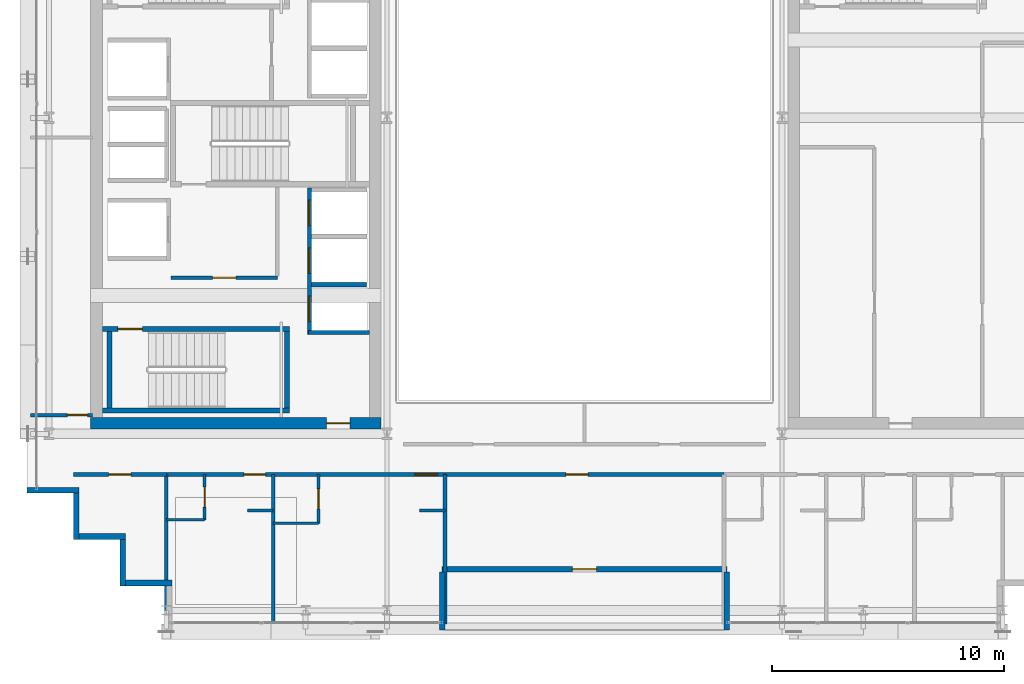
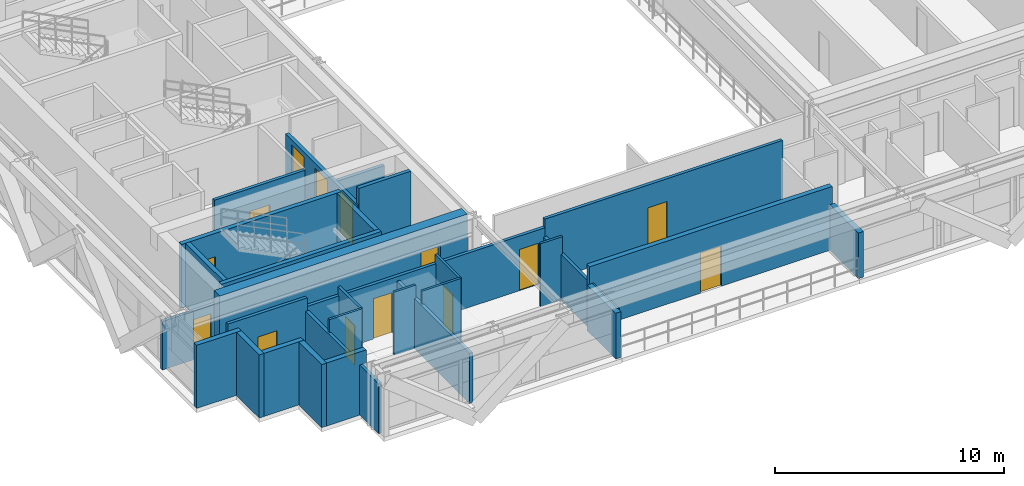
# One storey, part 24 of 32: 30 walls, 14 doors, 14 openings.
"""IFC4 building model written with IfcOpenShell, lengths in metres."""

from ifc_helpers import new_model, si_unit, direction, frame, frame_2d, origin, place, context, subcontext, project, spatial, rectangle, extrude, source, transform, mapped, material, layer, layer_set, type_object, element, fill, save


model = new_model("IFC4")

# Units and contexts
model_context = context("Model", 3, precision=1e-05, world=origin(), true_north=direction((0.0, 1.0)))
body_context = subcontext(model_context, "Body", "Model", "MODEL_VIEW")
ifc_project = project(units=[si_unit("LENGTHUNIT", "METRE"), si_unit("AREAUNIT", "SQUARE_METRE"), si_unit("VOLUMEUNIT", "CUBIC_METRE"), si_unit("PLANEANGLEUNIT", "RADIAN"), si_unit("MASSUNIT", "GRAM", prefix="KILO")], contexts=[model_context])

# Site, building, storey
site_placement = place(None, origin())
site = spatial("IfcSite", under=ifc_project, at=site_placement, CompositionType="ELEMENT")
building_placement = place(site_placement, origin())
building = spatial("IfcBuilding", under=site, at=building_placement, Name="Ocotamira Hotel", CompositionType="ELEMENT")
storey_placement = place(building_placement, frame((0.0, 0.0, 206.39990234375)))
storey = spatial("IfcBuildingStorey", under=building, at=storey_placement, Name="L52", CompositionType="ELEMENT", Elevation=206.39990234375)

# Wall, opening, door
ifc_material_1 = material(Name="Concrete C50/60", Category="concrete")
ifc_layer_1 = layer(ifc_material_1, 0.5)
ifc_layer_set_1 = layer_set([ifc_layer_1], Name="Concrete C50/60")
wall_type_1 = type_object("IfcWallType", Name="WL-CORE-500", PredefinedType="SHEAR", material=ifc_layer_set_1)
wall_1_placement = place(storey_placement, frame((10.75, 15.0, 0.0), z_axis=(0.0, 0.0, 1.0), x_axis=(1.0, 0.0, 0.0)))
wall_1 = element("IfcWall", 1, at=wall_1_placement, inside=storey, type_object=wall_type_1, Name="L52 Shear Core Wall WCORE-S", PredefinedType="SHEAR", context=body_context, shape_type="SweptSolid", body=[
    extrude(rectangle(XDim=12.5, YDim=0.5, at=frame_2d((6.25, 0.0))), origin(), (0.0, 0.0, 1.0), 3.3701171875),
])
opening_1_placement = place(wall_1_placement, frame((10.14990234375, 0.0, 0.0)))
opening_1 = element("IfcOpeningElement", 2, at=opening_1_placement, cuts=wall_1, Name="Opening D-FR2", PredefinedType="OPENING", context=body_context, shape_type="SweptSolid", body=[
    extrude(rectangle(XDim=1.0, YDim=2.14990234375, at=frame_2d((0.5, 1.074951171875))), frame((0.0, 0.260009765625, 0.0), z_axis=(0.0, -1.0, 0.0), x_axis=(1.0, 0.0, 0.0)), (0.0, 0.0, 1.0), 0.52001953125),
])
ifc_material_2 = material(Name="Fire-rated acoustic timber-veneer door", Category="wood")
door_type_1 = type_object("IfcDoorType", Name="DR-FIRE-1000", OperationType="NOTDEFINED", PredefinedType="DOOR", material=ifc_material_2)
shared_shape_1 = source(origin(), body_context, "Body", "SweptSolid", [
    extrude(rectangle(XDim=1.0, YDim=2.14990234375, at=frame_2d((0.5, 1.074951171875))), frame((0.0, 0.02490234375, 0.0), z_axis=(0.0, -1.0, 0.0), x_axis=(1.0, 0.0, 0.0)), (0.0, 0.0, 1.0), 0.050048828125),
])
door_1_placement = place(opening_1_placement, origin())
door_1 = element("IfcDoor", 3, at=door_1_placement, inside=storey, type_object=door_type_1, Name="L52 Door ID-L52-WLOB-S-D [ID-L52-WLOB-S-D]", OperationType="SINGLE_SWING_LEFT", OverallHeight=2.14990234375, OverallWidth=1.0, PredefinedType="DOOR", context=body_context, shape_type="MappedRepresentation", body=[
    mapped(shared_shape_1, transform((0.0, 0.0, 0.0), scale=1.0)),
])
fill(opening_1, door_1)

# Walls
ifc_material_3 = material(Name="Precast concrete C45/55", Category="concrete")
ifc_layer_2 = layer(ifc_material_3, 0.25)
ifc_layer_set_2 = layer_set([ifc_layer_2], Name="Precast concrete C45/55")
wall_type_2 = type_object("IfcWallType", Name="WL-EXT-SER-250", PredefinedType="SOLIDWALL", material=ifc_layer_set_2)
wall_2_placement = place(storey_placement, frame((8.0, 12.125, 0.0), z_axis=(0.0, 0.0, 1.0), x_axis=(1.0, 0.0, 0.0)))
element("IfcWall", 4, at=wall_2_placement, inside=storey, type_object=wall_type_2, Name="L52 Serrated Corner Wall 19", PredefinedType="SOLIDWALL", context=body_context, shape_type="SweptSolid", body=[
    extrude(rectangle(XDim=2.25, YDim=0.25, at=frame_2d((1.125, 0.0))), origin(), (0.0, 0.0, 1.0), 3.3701171875),
])
for number, where, z_axis, x_axis, name in (
    (5, (10.125, 12.0, 0.0), (0.0, 0.0, 1.0), (0.0, -1.0, 0.0), "L52 Serrated Corner Wall 20"),
    (6, (10.25, 10.125, 0.0), (0.0, 0.0, 1.0), (1.0, 0.0, 0.0), "L52 Serrated Corner Wall 21"),
    (7, (12.125, 10.0, 0.0), (0.0, 0.0, 1.0), (0.0, -1.0, 0.0), "L52 Serrated Corner Wall 22"),
    (8, (12.25, 8.125, 0.0), (0.0, 0.0, 1.0), (1.0, 0.0, 0.0), "L52 Serrated Corner Wall 23"),
):
    element("IfcWall", number, at=place(storey_placement, frame(where, z_axis=z_axis, x_axis=x_axis)), inside=storey, type_object=wall_type_2, Name=name, PredefinedType="SOLIDWALL", context=body_context, shape_type="SweptSolid", body=[
        extrude(rectangle(XDim=2.0, YDim=0.25, at=frame_2d((1.0, 0.0))), origin(), (0.0, 0.0, 1.0), 3.3701171875),
    ])

# Wall, opening, door
wall_3_placement = place(storey_placement, frame((25.875, 8.72509765625, 0.0), z_axis=(0.0, 0.0, 1.0), x_axis=(1.0, 0.0, 0.0)))
wall_3 = element("IfcWall", 9, at=wall_3_placement, inside=storey, type_object=wall_type_2, Name="L52 Sky Terrace Back Wall 1", PredefinedType="SOLIDWALL", context=body_context, shape_type="SweptSolid", body=[
    extrude(rectangle(XDim=12.25, YDim=0.25, at=frame_2d((6.125, 0.0))), origin(), (0.0, 0.0, 1.0), 3.3701171875),
])
opening_2_placement = place(wall_3_placement, frame((5.60009765625, 0.0, 0.0)))
opening_2 = element("IfcOpeningElement", 10, at=opening_2_placement, cuts=wall_3, Name="Opening ED-3", PredefinedType="OPENING", context=body_context, shape_type="SweptSolid", body=[
    extrude(rectangle(XDim=1.050048828125, YDim=2.14990234375, at=frame_2d((0.52490234375, 1.074951171875))), frame((0.0, 0.135009765625, 0.0), z_axis=(0.0, -1.0, 0.0), x_axis=(1.0, 0.0, 0.0)), (0.0, 0.0, 1.0), 0.27001953125),
])
ifc_material_4 = material(Name="Thermally broken aluminium glazed door", Category="aluminium")
door_type_2 = type_object("IfcDoorType", Name="DR-TERR-1050", OperationType="NOTDEFINED", PredefinedType="DOOR", material=ifc_material_4)
shared_shape_2 = source(origin(), body_context, "Body", "SweptSolid", [
    extrude(rectangle(XDim=1.050048828125, YDim=2.14990234375, at=frame_2d((0.52490234375, 1.074951171875))), frame((0.0, 0.02490234375, 0.0), z_axis=(0.0, -1.0, 0.0), x_axis=(1.0, 0.0, 0.0)), (0.0, 0.0, 1.0), 0.050048828125),
])
door_2_placement = place(opening_2_placement, origin())
door_2 = element("IfcDoor", 11, at=door_2_placement, inside=storey, type_object=door_type_2, Name="L52 Sky Terrace Access Door 1 [ED-BAL-L52-1]", OperationType="SINGLE_SWING_RIGHT", OverallHeight=2.14990234375, OverallWidth=1.050048828125, PredefinedType="DOOR", context=body_context, shape_type="MappedRepresentation", body=[
    mapped(shared_shape_2, transform((0.0, 0.0, 0.0), scale=1.0)),
])
fill(opening_2, door_2)

# Walls
for number, where, z_axis, x_axis, name in (
    (12, (25.875, 6.10009765625, 0.0), (0.0, 0.0, 1.0), (0.0, 1.0, 0.0), "L52 Sky Terrace Return Wall 1L"),
    (13, (38.125, 6.10009765625, 0.0), (0.0, 0.0, 1.0), (0.0, 1.0, 0.0), "L52 Sky Terrace Return Wall 1R"),
):
    element("IfcWall", number, at=place(storey_placement, frame(where, z_axis=z_axis, x_axis=x_axis)), inside=storey, type_object=wall_type_2, Name=name, PredefinedType="SOLIDWALL", context=body_context, shape_type="SweptSolid", body=[
        extrude(rectangle(XDim=2.5, YDim=0.25, at=frame_2d((1.25, 0.0))), origin(), (0.0, 0.0, 1.0), 2.443115234375),
    ])

# Wall, opening, door
ifc_material_5 = material(Name="Acoustic double-layer fire gypsum board partition", Category="gypsum")
ifc_layer_3 = layer(ifc_material_5, 0.159912109375)
ifc_layer_set_3 = layer_set([ifc_layer_3], Name="Acoustic double-layer fire gypsum board partition")
wall_type_3 = type_object("IfcWallType", Name="WL-FIRE-160", PredefinedType="PARTITIONING", material=ifc_layer_set_3)
wall_4_placement = place(storey_placement, frame((14.199951171875, 21.27001953125, 0.0), z_axis=(0.0, 0.0, 1.0), x_axis=(1.0, 0.0, 0.0)))
wall_4 = element("IfcWall", 14, at=wall_4_placement, inside=storey, type_object=wall_type_3, Name="L52 Interior Wall PW-L52-FSAE1-S", PredefinedType="PARTITIONING", context=body_context, shape_type="SweptSolid", body=[
    extrude(rectangle(XDim=4.580078125, YDim=0.159912109375, at=frame_2d((2.2900390625, 0.0))), origin(), (0.0, 0.0, 1.0), 3.3701171875),
])
opening_3_placement = place(wall_4_placement, frame((1.800048828125, 0.0, 0.0)))
opening_3 = element("IfcOpeningElement", 15, at=opening_3_placement, cuts=wall_4, Name="Opening D-FR2", PredefinedType="OPENING", context=body_context, shape_type="SweptSolid", body=[
    extrude(rectangle(XDim=1.0, YDim=2.14990234375, at=frame_2d((0.5, 1.074951171875))), frame((0.0, 0.08984375, 0.0), z_axis=(0.0, -1.0, 0.0), x_axis=(1.0, 0.0, 0.0)), (0.0, 0.0, 1.0), 0.179931640625),
])
door_3_placement = place(opening_3_placement, origin())
door_3 = element("IfcDoor", 16, at=door_3_placement, inside=storey, type_object=door_type_1, Name="L52 Door ID-L52-FSAE1-D [ID-L52-FSAE1-D]", OperationType="SINGLE_SWING_LEFT", OverallHeight=2.14990234375, OverallWidth=1.0, PredefinedType="DOOR", context=body_context, shape_type="MappedRepresentation", body=[
    mapped(shared_shape_1, transform((0.0, 0.0, 0.0), scale=1.0)),
])
fill(opening_3, door_3)

wall_5_placement = place(storey_placement, frame((10.0, 12.800048828125, 0.0), z_axis=(0.0, 0.0, 1.0), x_axis=(1.0, 0.0, 0.0)))
wall_5 = element("IfcWall", 17, at=wall_5_placement, inside=storey, type_object=wall_type_3, Name="L52 Interior Wall PW-L52-Z3E-CSW-CW", PredefinedType="PARTITIONING", context=body_context, shape_type="SweptSolid", body=[
    extrude(rectangle(XDim=4.0, YDim=0.159912109375, at=frame_2d((2.0, 0.0))), origin(), (0.0, 0.0, 1.0), 3.3701171875),
])
opening_4_placement = place(wall_5_placement, frame((1.52001953125, 0.0, 0.0)))
opening_4 = element("IfcOpeningElement", 18, at=opening_4_placement, cuts=wall_5, Name="Opening D-SV4", PredefinedType="OPENING", context=body_context, shape_type="SweptSolid", body=[
    extrude(rectangle(XDim=0.9599609375, YDim=2.14990234375, at=frame_2d((0.47998046875, 1.074951171875))), frame((0.0, 0.08984375, 0.0), z_axis=(0.0, -1.0, 0.0), x_axis=(1.0, 0.0, 0.0)), (0.0, 0.0, 1.0), 0.179931640625),
])
ifc_material_6 = material(Name="Fire-rated accessible walnut salon door", Category="wood")
door_type_3 = type_object("IfcDoorType", Name="DR-SERV-960", OperationType="NOTDEFINED", PredefinedType="DOOR", material=ifc_material_6)
shared_shape_3 = source(origin(), body_context, "Body", "SweptSolid", [
    extrude(rectangle(XDim=0.9599609375, YDim=2.14990234375, at=frame_2d((0.47998046875, 1.074951171875))), frame((0.0, 0.02490234375, 0.0), z_axis=(0.0, -1.0, 0.0), x_axis=(1.0, 0.0, 0.0)), (0.0, 0.0, 1.0), 0.050048828125),
])
door_4_placement = place(opening_4_placement, origin())
door_4 = element("IfcDoor", 19, at=door_4_placement, inside=storey, type_object=door_type_3, Name="L52 Door ID-L52-Z3E-CSW-CD [ID-L52-Z3E-CSW-CD]", OperationType="SINGLE_SWING_LEFT", OverallHeight=2.14990234375, OverallWidth=0.9599609375, PredefinedType="DOOR", context=body_context, shape_type="MappedRepresentation", body=[
    mapped(shared_shape_3, transform((0.0, 0.0, 0.0), scale=1.0)),
])
fill(opening_4, door_4)

# Wall, openings, doors
wall_6_placement = place(storey_placement, frame((14.0, 12.800048828125, 0.0), z_axis=(0.0, 0.0, 1.0), x_axis=(1.0, 0.0, 0.0)))
wall_6 = element("IfcWall", 20, at=wall_6_placement, inside=storey, type_object=wall_type_3, Name="L52 Interior Wall PW-L52-Z3ESW-CORRW", PredefinedType="PARTITIONING", context=body_context, shape_type="SweptSolid", body=[
    extrude(rectangle(XDim=12.0, YDim=0.159912109375, at=frame_2d((6.0, 0.0))), origin(), (0.0, 0.0, 1.0), 2.9130859375),
])
opening_5_placement = place(wall_6_placement, frame((3.340087890625, 0.0, 0.0)))
opening_5 = element("IfcOpeningElement", 21, at=opening_5_placement, cuts=wall_6, Name="Opening D-GR1", PredefinedType="OPENING", context=body_context, shape_type="SweptSolid", body=[
    extrude(rectangle(XDim=0.93994140625, YDim=2.14990234375, at=frame_2d((0.469970703125, 1.074951171875))), frame((0.0, 0.08984375, 0.0), z_axis=(0.0, -1.0, 0.0), x_axis=(1.0, 0.0, 0.0)), (0.0, 0.0, 1.0), 0.179931640625),
])
opening_6_placement = place(wall_6_placement, frame((10.699951171875, 0.0, 0.0)))
opening_6 = element("IfcOpeningElement", 22, at=opening_6_placement, cuts=wall_6, Name="Opening D-GR2", PredefinedType="OPENING", context=body_context, shape_type="SweptSolid", body=[
    extrude(rectangle(XDim=0.97998046875, YDim=2.199951171875, at=frame_2d((0.489990234375, 1.10009765625))), frame((0.0, 0.08984375, 0.0), z_axis=(0.0, -1.0, 0.0), x_axis=(1.0, 0.0, 0.0)), (0.0, 0.0, 1.0), 0.179931640625),
])
ifc_material_7 = material(Name="Solid-core walnut suite entrance fire door", Category="wood")
door_type_4 = type_object("IfcDoorType", Name="DR-GUEST-940", OperationType="NOTDEFINED", PredefinedType="DOOR", material=ifc_material_7)
shared_shape_4 = source(origin(), body_context, "Body", "SweptSolid", [
    extrude(rectangle(XDim=0.93994140625, YDim=2.14990234375, at=frame_2d((0.469970703125, 1.074951171875))), frame((0.0, 0.02490234375, 0.0), z_axis=(0.0, -1.0, 0.0), x_axis=(1.0, 0.0, 0.0)), (0.0, 0.0, 1.0), 0.050048828125),
])
door_5_placement = place(opening_5_placement, origin())
door_5 = element("IfcDoor", 23, at=door_5_placement, inside=storey, type_object=door_type_4, Name="L52 Door ID-L52-Z3ESW-RMD1 [ID-L52-Z3ESW-RMD1]", OperationType="SINGLE_SWING_LEFT", OverallHeight=2.14990234375, OverallWidth=0.93994140625, PredefinedType="DOOR", context=body_context, shape_type="MappedRepresentation", body=[
    mapped(shared_shape_4, transform((0.0, 0.0, 0.0), scale=1.0)),
])
fill(opening_5, door_5)
ifc_material_8 = material(Name="Solid-core walnut grand-suite entrance fire door", Category="wood")
door_type_5 = type_object("IfcDoorType", Name="DR-GUEST-980", OperationType="NOTDEFINED", PredefinedType="DOOR", material=ifc_material_8)
shared_shape_5 = source(origin(), body_context, "Body", "SweptSolid", [
    extrude(rectangle(XDim=0.97998046875, YDim=2.199951171875, at=frame_2d((0.489990234375, 1.10009765625))), frame((0.0, 0.02490234375, 0.0), z_axis=(0.0, -1.0, 0.0), x_axis=(1.0, 0.0, 0.0)), (0.0, 0.0, 1.0), 0.050048828125),
])
door_6_placement = place(opening_6_placement, origin())
door_6 = element("IfcDoor", 24, at=door_6_placement, inside=storey, type_object=door_type_5, Name="L52 Door ID-L52-Z3ESW-RMD2 [ID-L52-Z3ESW-RMD2]", OperationType="SINGLE_SWING_RIGHT", OverallHeight=2.199951171875, OverallWidth=0.97998046875, PredefinedType="DOOR", context=body_context, shape_type="MappedRepresentation", body=[
    mapped(shared_shape_5, transform((0.0, 0.0, 0.0), scale=1.0)),
])
fill(opening_6, door_6)

# Wall, opening, door
wall_7_placement = place(storey_placement, frame((26.0, 12.800048828125, 0.0), z_axis=(0.0, 0.0, 1.0), x_axis=(1.0, 0.0, 0.0)))
wall_7 = element("IfcWall", 25, at=wall_7_placement, inside=storey, type_object=wall_type_3, Name="L52 Interior Wall PW-L52-Z3E-TSALN", PredefinedType="PARTITIONING", context=body_context, shape_type="SweptSolid", body=[
    extrude(rectangle(XDim=12.0, YDim=0.159912109375, at=frame_2d((6.0, 0.0))), origin(), (0.0, 0.0, 1.0), 3.3701171875),
])
opening_7_placement = place(wall_7_placement, frame((5.199951171875, 0.0, 0.0)))
opening_7 = element("IfcOpeningElement", 26, at=opening_7_placement, cuts=wall_7, Name="Opening D-SV4", PredefinedType="OPENING", context=body_context, shape_type="SweptSolid", body=[
    extrude(rectangle(XDim=0.9599609375, YDim=2.14990234375, at=frame_2d((0.47998046875, 1.074951171875))), frame((0.0, 0.08984375, 0.0), z_axis=(0.0, -1.0, 0.0), x_axis=(1.0, 0.0, 0.0)), (0.0, 0.0, 1.0), 0.179931640625),
])
door_7_placement = place(opening_7_placement, origin())
door_7 = element("IfcDoor", 27, at=door_7_placement, inside=storey, type_object=door_type_3, Name="L52 Door ID-L52-Z3E-TSALD [ID-L52-Z3E-TSALD]", OperationType="SINGLE_SWING_LEFT", OverallHeight=2.14990234375, OverallWidth=0.9599609375, PredefinedType="DOOR", context=body_context, shape_type="MappedRepresentation", body=[
    mapped(shared_shape_3, transform((0.0, 0.0, 0.0), scale=1.0)),
])
fill(opening_7, door_7)

ifc_material_9 = material(Name="Moisture-resistant en-suite tile and gypsum partition", Category="gypsum")
ifc_layer_4 = layer(ifc_material_9, 0.1201171875)
ifc_layer_set_4 = layer_set([ifc_layer_4], Name="Moisture-resistant en-suite tile and gypsum partition")
wall_type_4 = type_object("IfcWallType", Name="WL-PART-120", PredefinedType="PARTITIONING", material=ifc_layer_set_4)
wall_8_placement = place(storey_placement, frame((15.64990234375, 10.85009765625, 0.0), z_axis=(0.0, 0.0, 1.0), x_axis=(0.0, 1.0, 0.0)))
wall_8 = element("IfcWall", 28, at=wall_8_placement, inside=storey, type_object=wall_type_4, Name="L52 Interior Wall PW-L52-Z3ESW-BAE1", PredefinedType="PARTITIONING", context=body_context, shape_type="SweptSolid", body=[
    extrude(rectangle(XDim=1.949951171875, YDim=0.1201171875, at=frame_2d((0.97509765625, 0.0))), origin(), (0.0, 0.0, 1.0), 3.3701171875),
])
opening_8_placement = place(wall_8_placement, frame((0.544921875, 0.0, 0.0)))
opening_8 = element("IfcOpeningElement", 29, at=opening_8_placement, cuts=wall_8, Name="Opening D-BA1", PredefinedType="OPENING", context=body_context, shape_type="SweptSolid", body=[
    extrude(rectangle(XDim=0.860107421875, YDim=2.10009765625, at=frame_2d((0.43017578125, 1.050048828125))), frame((0.0, 0.070068359375, 0.0), z_axis=(0.0, -1.0, 0.0), x_axis=(1.0, 0.0, 0.0)), (0.0, 0.0, 1.0), 0.14013671875),
])
ifc_material_10 = material(Name="Moisture-sealed en-suite timber door", Category="wood")
door_type_6 = type_object("IfcDoorType", Name="DR-BATH-860", OperationType="NOTDEFINED", PredefinedType="DOOR", material=ifc_material_10)
shared_shape_6 = source(origin(), body_context, "Body", "SweptSolid", [
    extrude(rectangle(XDim=0.860107421875, YDim=2.10009765625, at=frame_2d((0.43017578125, 1.050048828125))), frame((0.0, 0.02490234375, 0.0), z_axis=(0.0, -1.0, 0.0), x_axis=(1.0, 0.0, 0.0)), (0.0, 0.0, 1.0), 0.050048828125),
])
door_8_placement = place(opening_8_placement, origin())
door_8 = element("IfcDoor", 30, at=door_8_placement, inside=storey, type_object=door_type_6, Name="L52 Door ID-L52-Z3ESW-BAD1 [ID-L52-Z3ESW-BAD1]", OperationType="SINGLE_SWING_RIGHT", OverallHeight=2.10009765625, OverallWidth=0.860107421875, PredefinedType="DOOR", context=body_context, shape_type="MappedRepresentation", body=[
    mapped(shared_shape_6, transform((0.0, 0.0, 0.0), scale=1.0)),
])
fill(opening_8, door_8)

# Walls
wall_9_placement = place(storey_placement, frame((14.0, 10.85009765625, 0.0), z_axis=(0.0, 0.0, 1.0), x_axis=(1.0, 0.0, 0.0)))
element("IfcWall", 31, at=wall_9_placement, inside=storey, type_object=wall_type_4, Name="L52 Interior Wall PW-L52-Z3ESW-BAS1", PredefinedType="PARTITIONING", context=body_context, shape_type="SweptSolid", body=[
    extrude(rectangle(XDim=1.64990234375, YDim=0.1201171875, at=frame_2d((0.824951171875, 0.0))), origin(), (0.0, 0.0, 1.0), 3.3701171875),
])
wall_10_placement = place(storey_placement, frame((17.5, 11.25, 0.0), z_axis=(0.0, 0.0, 1.0), x_axis=(1.0, 0.0, 0.0)))
element("IfcWall", 32, at=wall_10_placement, inside=storey, type_object=wall_type_4, Name="L52 Interior Wall PW-L52-Z3ESW-DRN1", PredefinedType="PARTITIONING", context=body_context, shape_type="SweptSolid", body=[
    extrude(rectangle(XDim=1.10009765625, YDim=0.1201171875, at=frame_2d((0.550048828125, 0.0))), origin(), (0.0, 0.0, 1.0), 3.3701171875),
])

# Wall, opening, door
wall_11_placement = place(storey_placement, frame((20.550048828125, 10.699951171875, 0.0), z_axis=(0.0, 0.0, 1.0), x_axis=(0.0, 1.0, 0.0)))
wall_11 = element("IfcWall", 33, at=wall_11_placement, inside=storey, type_object=wall_type_4, Name="L52 Interior Wall PW-L52-Z3ESW-BAE2", PredefinedType="PARTITIONING", context=body_context, shape_type="SweptSolid", body=[
    extrude(rectangle(XDim=2.10009765625, YDim=0.1201171875, at=frame_2d((1.050048828125, 0.0))), origin(), (0.0, 0.0, 1.0), 3.3701171875),
])
opening_9_placement = place(wall_11_placement, frame((0.6201171875, 0.0, 0.0)))
opening_9 = element("IfcOpeningElement", 34, at=opening_9_placement, cuts=wall_11, Name="Opening D-BA1", PredefinedType="OPENING", context=body_context, shape_type="SweptSolid", body=[
    extrude(rectangle(XDim=0.860107421875, YDim=2.10009765625, at=frame_2d((0.43017578125, 1.050048828125))), frame((0.0, 0.070068359375, 0.0), z_axis=(0.0, -1.0, 0.0), x_axis=(1.0, 0.0, 0.0)), (0.0, 0.0, 1.0), 0.14013671875),
])
door_9_placement = place(opening_9_placement, origin())
door_9 = element("IfcDoor", 35, at=door_9_placement, inside=storey, type_object=door_type_6, Name="L52 Door ID-L52-Z3ESW-BAD2 [ID-L52-Z3ESW-BAD2]", OperationType="SINGLE_SWING_LEFT", OverallHeight=2.10009765625, OverallWidth=0.860107421875, PredefinedType="DOOR", context=body_context, shape_type="MappedRepresentation", body=[
    mapped(shared_shape_6, transform((0.0, 0.0, 0.0), scale=1.0)),
])
fill(opening_9, door_9)

# Walls
wall_12_placement = place(storey_placement, frame((18.60009765625, 10.699951171875, 0.0), z_axis=(0.0, 0.0, 1.0), x_axis=(1.0, 0.0, 0.0)))
element("IfcWall", 36, at=wall_12_placement, inside=storey, type_object=wall_type_4, Name="L52 Interior Wall PW-L52-Z3ESW-BAS2", PredefinedType="PARTITIONING", context=body_context, shape_type="SweptSolid", body=[
    extrude(rectangle(XDim=1.949951171875, YDim=0.1201171875, at=frame_2d((0.97509765625, 0.0))), origin(), (0.0, 0.0, 1.0), 3.3701171875),
])
wall_13_placement = place(storey_placement, frame((24.89990234375, 11.25, 0.0), z_axis=(0.0, 0.0, 1.0), x_axis=(1.0, 0.0, 0.0)))
element("IfcWall", 37, at=wall_13_placement, inside=storey, type_object=wall_type_4, Name="L52 Interior Wall PW-L52-Z3ESW-DRN2", PredefinedType="PARTITIONING", context=body_context, shape_type="SweptSolid", body=[
    extrude(rectangle(XDim=1.10009765625, YDim=0.1201171875, at=frame_2d((0.550048828125, 0.0))), origin(), (0.0, 0.0, 1.0), 3.3701171875),
])

# Wall, opening, door
ifc_material_11 = material(Name="Acoustic hospitality gypsum board partition", Category="gypsum")
ifc_layer_5 = layer(ifc_material_11, 0.14990234375)
ifc_layer_set_5 = layer_set([ifc_layer_5], Name="Acoustic hospitality gypsum board partition")
wall_type_5 = type_object("IfcWallType", Name="WL-PART-150", PredefinedType="PARTITIONING", material=ifc_layer_set_5)
wall_14_placement = place(storey_placement, frame((8.159912109375, 15.360107421875, 0.0), z_axis=(0.0, 0.0, 1.0), x_axis=(1.0, 0.0, 0.0)))
wall_14 = element("IfcWall", 38, at=wall_14_placement, inside=storey, type_object=wall_type_5, Name="L52 Interior Wall PW-L52-Z3E-WF-WS", PredefinedType="PARTITIONING", context=body_context, shape_type="SweptSolid", body=[
    extrude(rectangle(XDim=2.66015625, YDim=0.14990234375, at=frame_2d((1.330078125, 0.0))), origin(), (0.0, 0.0, 1.0), 2.591064453125),
])
opening_10_placement = place(wall_14_placement, frame((1.580078125, 0.0, 0.0)))
opening_10 = element("IfcOpeningElement", 39, at=opening_10_placement, cuts=wall_14, Name="Opening D-SV2", PredefinedType="OPENING", context=body_context, shape_type="SweptSolid", body=[
    extrude(rectangle(XDim=0.8798828125, YDim=2.14990234375, at=frame_2d((0.43994140625, 1.074951171875))), frame((0.0, 0.0849609375, 0.0), z_axis=(0.0, -1.0, 0.0), x_axis=(1.0, 0.0, 0.0)), (0.0, 0.0, 1.0), 0.169921875),
])
ifc_material_12 = material(Name="Fire-rated painted steel service door", Category="steel")
door_type_7 = type_object("IfcDoorType", Name="DR-SERV-880", OperationType="NOTDEFINED", PredefinedType="DOOR", material=ifc_material_12)
shared_shape_7 = source(origin(), body_context, "Body", "SweptSolid", [
    extrude(rectangle(XDim=0.8798828125, YDim=2.14990234375, at=frame_2d((0.43994140625, 1.074951171875))), frame((0.0, 0.02490234375, 0.0), z_axis=(0.0, -1.0, 0.0), x_axis=(1.0, 0.0, 0.0)), (0.0, 0.0, 1.0), 0.050048828125),
])
door_10_placement = place(opening_10_placement, origin())
door_10 = element("IfcDoor", 40, at=door_10_placement, inside=storey, type_object=door_type_7, Name="L52 Door ID-L52-Z3E-WF-DS [ID-L52-Z3E-WF-DS]", OperationType="SINGLE_SWING_LEFT", OverallHeight=2.14990234375, OverallWidth=0.8798828125, PredefinedType="DOOR", context=body_context, shape_type="MappedRepresentation", body=[
    mapped(shared_shape_7, transform((0.0, 0.0, 0.0), scale=1.0)),
])
fill(opening_10, door_10)

# Walls
ifc_material_13 = material(Name="Acoustic double-stud hospitality gypsum partition", Category="gypsum")
ifc_layer_6 = layer(ifc_material_13, 0.159912109375)
ifc_layer_set_6 = layer_set([ifc_layer_6], Name="Acoustic double-stud hospitality gypsum partition")
wall_type_6 = type_object("IfcWallType", Name="WL-PART-160", PredefinedType="PARTITIONING", material=ifc_layer_set_6)
wall_15_placement = place(storey_placement, frame((14.0, 6.360107421875, 0.0), z_axis=(0.0, 0.0, 1.0), x_axis=(0.0, 1.0, 0.0)))
element("IfcWall", 41, at=wall_15_placement, inside=storey, type_object=wall_type_6, Name="L52 Interior Wall PW-L52-Z3ESW-PW0", PredefinedType="PARTITIONING", context=body_context, shape_type="SweptSolid", body=[
    extrude(rectangle(XDim=6.43994140625, YDim=0.159912109375, at=frame_2d((3.219970703125, 0.0))), origin(), (0.0, 0.0, 1.0), 2.677001953125),
])
wall_16_placement = place(storey_placement, frame((26.0, 6.360107421875, 0.0), z_axis=(0.0, 0.0, 1.0), x_axis=(0.0, 1.0, 0.0)))
element("IfcWall", 42, at=wall_16_placement, inside=storey, type_object=wall_type_6, Name="L52 Interior Wall PW-L52-Z3ESW-PWEND", PredefinedType="PARTITIONING", context=body_context, shape_type="SweptSolid", body=[
    extrude(rectangle(XDim=6.43994140625, YDim=0.159912109375, at=frame_2d((3.219970703125, 0.0))), origin(), (0.0, 0.0, 1.0), 2.443115234375),
])
wall_17_placement = place(storey_placement, frame((18.60009765625, 6.360107421875, 0.0), z_axis=(0.0, 0.0, 1.0), x_axis=(0.0, 1.0, 0.0)))
element("IfcWall", 43, at=wall_17_placement, inside=storey, type_object=wall_type_6, Name="L52 Interior Wall PW-L52-Z3ESW-PW1", PredefinedType="PARTITIONING", context=body_context, shape_type="SweptSolid", body=[
    extrude(rectangle(XDim=6.43994140625, YDim=0.159912109375, at=frame_2d((3.219970703125, 0.0))), origin(), (0.0, 0.0, 1.0), 2.677001953125),
])

# Wall, openings, doors
ifc_material_14 = material(Name="Fire-rated gypsum shaftliner board assembly", Category="gypsum")
ifc_layer_7 = layer(ifc_material_14, 0.179931640625)
ifc_layer_set_7 = layer_set([ifc_layer_7], Name="Fire-rated gypsum shaftliner board assembly")
wall_type_7 = type_object("IfcWallType", Name="WL-SHAFT-180", PredefinedType="SOLIDWALL", material=ifc_layer_set_7)
wall_18_placement = place(storey_placement, frame((20.159912109375, 18.820068359375, 0.0), z_axis=(0.0, 0.0, 1.0), x_axis=(0.0, 1.0, 0.0)))
wall_18 = element("IfcWall", 44, at=wall_18_placement, inside=storey, type_object=wall_type_7, Name="L52 Interior Wall PW-L52-LFW-BANK-high-F", PredefinedType="SOLIDWALL", context=body_context, shape_type="SweptSolid", body=[
    extrude(rectangle(XDim=6.31982421875, YDim=0.179931640625, at=frame_2d((3.159912109375, 0.0))), origin(), (0.0, 0.0, 1.0), 2.47021484375),
])
opening_11_placement = place(wall_18_placement, frame((0.554931640625, 0.0, 0.0)))
opening_11 = element("IfcOpeningElement", 45, at=opening_11_placement, cuts=wall_18, Name="Opening LD-LF-P7", PredefinedType="OPENING", context=body_context, shape_type="SweptSolid", body=[
    extrude(rectangle(XDim=1.10009765625, YDim=2.199951171875, at=frame_2d((0.550048828125, 1.10009765625))), frame((0.0, 0.10009765625, 0.0), z_axis=(0.0, -1.0, 0.0), x_axis=(1.0, 0.0, 0.0)), (0.0, 0.0, 1.0), 0.199951171875),
])
opening_12_placement = place(wall_18_placement, frame((2.635009765625, 0.0, 0.0)))
opening_12 = element("IfcOpeningElement", 46, at=opening_12_placement, cuts=wall_18, Name="Opening LD-LF-P8", PredefinedType="OPENING", context=body_context, shape_type="SweptSolid", body=[
    extrude(rectangle(XDim=1.10009765625, YDim=2.199951171875, at=frame_2d((0.550048828125, 1.10009765625))), frame((0.0, 0.10009765625, 0.0), z_axis=(0.0, -1.0, 0.0), x_axis=(1.0, 0.0, 0.0)), (0.0, 0.0, 1.0), 0.199951171875),
])
opening_13_placement = place(wall_18_placement, frame((4.68994140625, 0.0, 0.0)))
opening_13 = element("IfcOpeningElement", 47, at=opening_13_placement, cuts=wall_18, Name="Opening LD-LF-P9", PredefinedType="OPENING", context=body_context, shape_type="SweptSolid", body=[
    extrude(rectangle(XDim=1.10009765625, YDim=2.199951171875, at=frame_2d((0.550048828125, 1.10009765625))), frame((0.0, 0.10009765625, 0.0), z_axis=(0.0, -1.0, 0.0), x_axis=(1.0, 0.0, 0.0)), (0.0, 0.0, 1.0), 0.199951171875),
])
ifc_material_15 = material(Name="Brushed pale-metal stainless elevator landing door", Category="steel")
door_type_8 = type_object("IfcDoorType", Name="DR-LIFT-1100", OperationType="NOTDEFINED", PredefinedType="DOOR", material=ifc_material_15)
shared_shape_8 = source(origin(), body_context, "Body", "SweptSolid", [
    extrude(rectangle(XDim=1.10009765625, YDim=2.199951171875, at=frame_2d((0.550048828125, 1.10009765625))), frame((0.0, 0.02490234375, 0.0), z_axis=(0.0, -1.0, 0.0), x_axis=(1.0, 0.0, 0.0)), (0.0, 0.0, 1.0), 0.050048828125),
])
door_11_placement = place(opening_11_placement, origin())
door_11 = element("IfcDoor", 48, at=door_11_placement, inside=storey, type_object=door_type_8, Name="L52 Landing Door LD-LF-P7 [ID-L52-LD-LF-P7]", OperationType="DOUBLE_DOOR_SLIDING", OverallHeight=2.199951171875, OverallWidth=1.10009765625, PredefinedType="DOOR", context=body_context, shape_type="MappedRepresentation", body=[
    mapped(shared_shape_8, transform((0.0, 0.0, 0.0), scale=1.0)),
])
fill(opening_11, door_11)
door_12_placement = place(opening_12_placement, origin())
door_12 = element("IfcDoor", 49, at=door_12_placement, inside=storey, type_object=door_type_8, Name="L52 Landing Door LD-LF-P8 [ID-L52-LD-LF-P8]", OperationType="DOUBLE_DOOR_SLIDING", OverallHeight=2.199951171875, OverallWidth=1.10009765625, PredefinedType="DOOR", context=body_context, shape_type="MappedRepresentation", body=[
    mapped(shared_shape_8, transform((0.0, 0.0, 0.0), scale=1.0)),
])
fill(opening_12, door_12)
door_13_placement = place(opening_13_placement, origin())
door_13 = element("IfcDoor", 50, at=door_13_placement, inside=storey, type_object=door_type_8, Name="L52 Landing Door LD-LF-P9 [ID-L52-LD-LF-P9]", OperationType="DOUBLE_DOOR_SLIDING", OverallHeight=2.199951171875, OverallWidth=1.10009765625, PredefinedType="DOOR", context=body_context, shape_type="MappedRepresentation", body=[
    mapped(shared_shape_8, transform((0.0, 0.0, 0.0), scale=1.0)),
])
fill(opening_13, door_13)

# Walls
wall_19_placement = place(storey_placement, frame((20.1201171875, 18.909912109375, 0.0), z_axis=(0.0, 0.0, 1.0), x_axis=(1.0, 0.0, 0.0)))
element("IfcWall", 51, at=wall_19_placement, inside=storey, type_object=wall_type_7, Name="L52 Interior Wall PW-L52-LFW-BANK-high-S", PredefinedType="SOLIDWALL", context=body_context, shape_type="SweptSolid", body=[
    extrude(rectangle(XDim=2.6298828125, YDim=0.179931640625, at=frame_2d((1.31494140625, 0.0))), origin(), (0.0, 0.0, 1.0), 3.3701171875),
])
wall_20_placement = place(storey_placement, frame((20.25, 20.965087890625, 0.0), z_axis=(0.0, 0.0, 1.0), x_axis=(1.0, 0.0, 0.0)))
element("IfcWall", 52, at=wall_20_placement, inside=storey, type_object=wall_type_7, Name="L52 Interior Wall PW-L52-LFW-DIV-LF-P7", PredefinedType="SOLIDWALL", context=body_context, shape_type="SweptSolid", body=[
    extrude(rectangle(XDim=2.360107421875, YDim=0.179931640625, at=frame_2d((1.18017578125, 0.0))), origin(), (0.0, 0.0, 1.0), 2.47021484375),
])
ifc_layer_8 = layer(ifc_material_1, 0.219970703125)
ifc_layer_set_8 = layer_set([ifc_layer_8], Name="Concrete C50/60")
wall_type_8 = type_object("IfcWallType", Name="WL-STAIR-220", PredefinedType="SHEAR", material=ifc_layer_set_8)
wall_21_placement = place(storey_placement, frame((11.25, 15.56005859375, 0.0), z_axis=(0.0, 0.0, 1.0), x_axis=(1.0, 0.0, 0.0)))
element("IfcWall", 53, at=wall_21_placement, inside=storey, type_object=wall_type_8, Name="L52 Stair Shaft Structural Wall ST-1-S", PredefinedType="SHEAR", context=body_context, shape_type="SweptSolid", body=[
    extrude(rectangle(XDim=8.06005859375, YDim=0.219970703125, at=frame_2d((4.030029296875, 0.0))), origin(), (0.0, 0.0, 1.0), 3.400146484375),
])

# Wall, opening, door
wall_22_placement = place(storey_placement, frame((11.25, 19.06005859375, 0.0), z_axis=(0.0, 0.0, 1.0), x_axis=(1.0, 0.0, 0.0)))
wall_22 = element("IfcWall", 54, at=wall_22_placement, inside=storey, type_object=wall_type_8, Name="L52 Stair Shaft Structural Wall ST-1-N", PredefinedType="SHEAR", context=body_context, shape_type="SweptSolid", body=[
    extrude(rectangle(XDim=8.06005859375, YDim=0.219970703125, at=frame_2d((4.030029296875, 0.0))), origin(), (0.0, 0.0, 1.0), 3.400146484375),
])
opening_14_placement = place(wall_22_placement, frame((0.669921875, 0.0, 0.0)))
opening_14 = element("IfcOpeningElement", 55, at=opening_14_placement, cuts=wall_22, Name="Opening D-ST2", PredefinedType="OPENING", context=body_context, shape_type="SweptSolid", body=[
    extrude(rectangle(XDim=1.050048828125, YDim=2.14990234375, at=frame_2d((0.52490234375, 1.074951171875))), frame((0.0, 0.1201171875, 0.0), z_axis=(0.0, -1.0, 0.0), x_axis=(1.0, 0.0, 0.0)), (0.0, 0.0, 1.0), 0.239990234375),
])
ifc_material_16 = material(Name="Insulated painted hollow-metal fire exit door", Category="steel")
door_type_9 = type_object("IfcDoorType", Name="DR-STAIR-1050", OperationType="NOTDEFINED", PredefinedType="DOOR", material=ifc_material_16)
door_14_placement = place(opening_14_placement, origin())
door_14 = element("IfcDoor", 56, at=door_14_placement, inside=storey, type_object=door_type_9, Name="L52 Door ID-L52-STD-ST-1 [ID-L52-STD-ST-1]", OperationType="SINGLE_SWING_LEFT", OverallHeight=2.14990234375, OverallWidth=1.050048828125, PredefinedType="DOOR", context=body_context, shape_type="MappedRepresentation", body=[
    mapped(shared_shape_2, transform((0.0, 0.0, 0.0), scale=1.0)),
])
fill(opening_14, door_14)

# Walls
for number, where, z_axis, x_axis, name in (
    (57, (11.56005859375, 15.669921875, 0.0), (0.0, 0.0, 1.0), (0.0, 1.0, 0.0), "L52 Stair Shaft Structural Wall ST-1-W"),
    (58, (19.199951171875, 15.669921875, 0.0), (0.0, 0.0, 1.0), (0.0, 1.0, 0.0), "L52 Stair Shaft Structural Wall ST-1-E"),
):
    element("IfcWall", number, at=place(storey_placement, frame(where, z_axis=z_axis, x_axis=x_axis)), inside=storey, type_object=wall_type_8, Name=name, PredefinedType="SHEAR", context=body_context, shape_type="SweptSolid", body=[
        extrude(rectangle(XDim=3.280029296875, YDim=0.219970703125, at=frame_2d((1.64013671875, 0.0))), origin(), (0.0, 0.0, 1.0), 3.400146484375),
    ])

save(model, "model.ifc")
